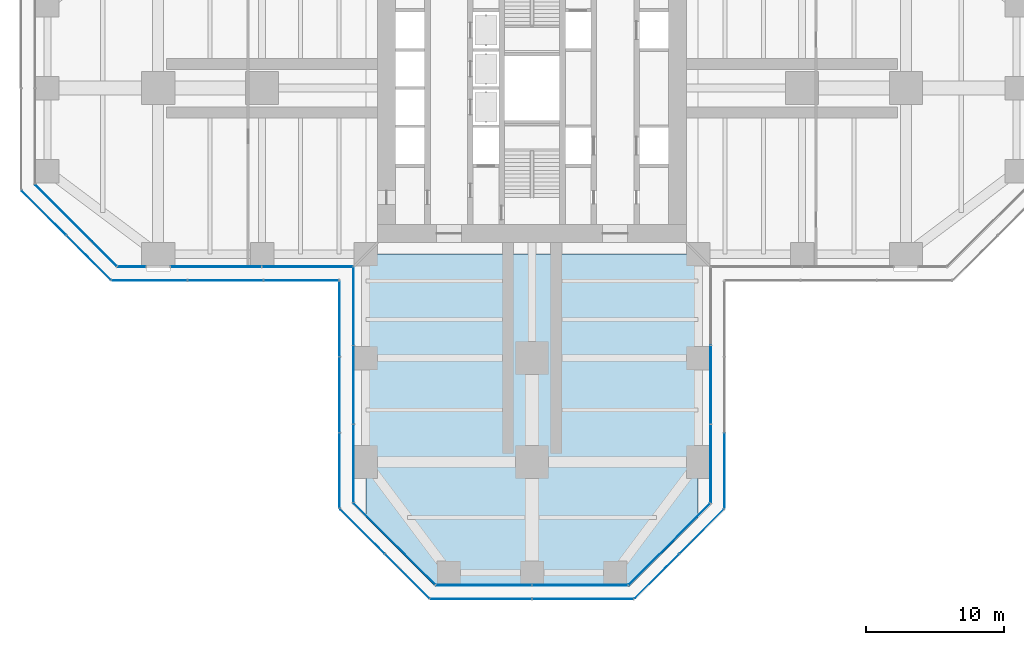
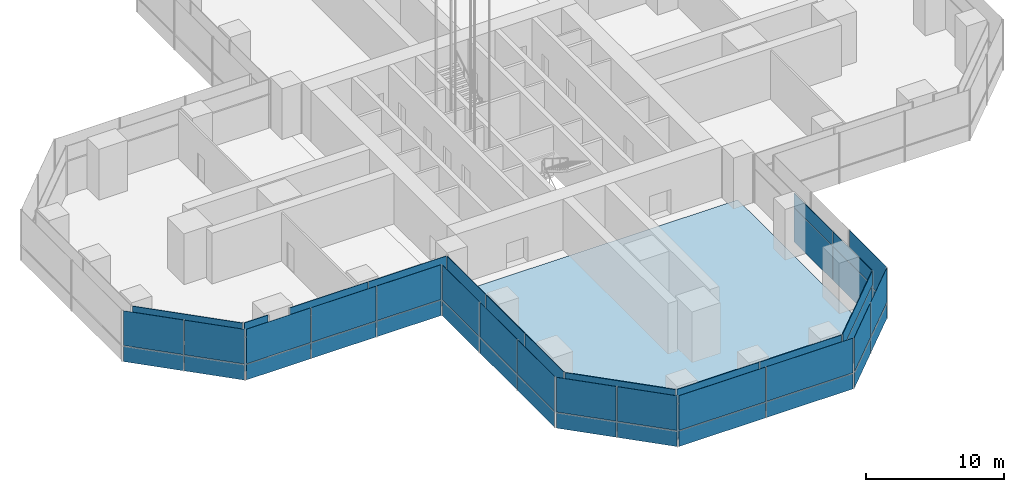
# One storey, part 13 of 27: 56 plates, 1 slab, 15 elements without a shape of their own.
"""IFC4 building model written with IfcOpenShell, lengths in metres."""

import ifcopenshell
import ifcopenshell.guid

model = None  # the IFC model being written
_history = None  # IfcOwnerHistory: only IFC2X3 demands one
_inside = {}  # id of a spatial element -> (the spatial element, [elements in it])
_under = {}  # id of a project, library or spatial element -> (it, [spatial elements below it])
_declared = {}  # id of a project -> (the project, [libraries it declares])
_typed = {}  # id of a type object -> (the type object, [elements of that type])
_made_of = {}  # id of a material, layer set ... -> (it, [elements and type objects made of it])


def new_model(schema):
    """Start an empty IFC model of exactly this schema.

    Asked for "IFC4X3", IfcOpenShell would pick the latest addendum, in which some entities
    have other attributes; the version numbers below select the first issue.
    IFC2X3 requires an IfcOwnerHistory on every rooted entity: one is made here for all.
    """
    global model, _history
    if schema == "IFC4X3":
        model = ifcopenshell.file(schema_version=(4, 3, 0, 0))
    else:
        model = ifcopenshell.file(schema=schema)
    _inside.clear()
    _under.clear()
    _declared.clear()
    _typed.clear()
    _made_of.clear()
    _history = None
    if model.schema == "IFC2X3":
        org = make("IfcOrganization", Name="unknown")
        user = make(
            "IfcPersonAndOrganization",
            ThePerson=make("IfcPerson", FamilyName="unknown"),
            TheOrganization=org,
        )
        app = make(
            "IfcApplication",
            ApplicationDeveloper=org,
            Version="unknown",
            ApplicationFullName="unknown",
            ApplicationIdentifier="unknown",
        )
        _history = make(
            "IfcOwnerHistory",
            OwningUser=user,
            OwningApplication=app,
            ChangeAction="ADDED",
            CreationDate=0,
        )
    return model


def make(cls, **values):
    """One entity of the class cls with the attributes given. An attribute that is None is left unset."""
    return model.create_entity(
        cls, **{name: value for name, value in values.items() if value is not None}
    )


def rooted(cls, **values):
    """An entity with a GlobalId (a new one), such as an element, a storey or a relation."""
    return make(cls, GlobalId=ifcopenshell.guid.new(), OwnerHistory=_history, **values)


def si_unit(unit_type, name, prefix=None):
    """IfcSIUnit, for example si_unit("LENGTHUNIT", "METRE", prefix="MILLI")."""
    return make("IfcSIUnit", UnitType=unit_type, Prefix=prefix, Name=name)


def assignment(units):
    """IfcUnitAssignment: the units of a project."""
    return None if units is None else make("IfcUnitAssignment", Units=units)


def point(xyz):
    """IfcCartesianPoint."""
    return None if xyz is None else make("IfcCartesianPoint", Coordinates=xyz)


def direction(xyz):
    """IfcDirection."""
    return None if xyz is None else make("IfcDirection", DirectionRatios=xyz)


def frame(location, z_axis=None, x_axis=None):
    """IfcAxis2Placement3D, a coordinate frame: its origin and axes. An axis left out is left unset."""
    return make(
        "IfcAxis2Placement3D",
        Location=point(location),
        Axis=direction(z_axis),
        RefDirection=direction(x_axis),
    )


def frame_2d(location, x_axis=None):
    """IfcAxis2Placement2D, a coordinate frame in the plane: its origin and x axis."""
    return make(
        "IfcAxis2Placement2D", Location=point(location), RefDirection=direction(x_axis)
    )


def origin():
    """The frame at (0, 0, 0) with its axes left unset."""
    return frame((0.0, 0.0, 0.0))


def origin_2d():
    """The frame at (0, 0) in the plane with its x axis left unset."""
    return frame_2d((0.0, 0.0))


def place(relative_to, where):
    """IfcLocalPlacement: puts the frame where relative to a parent placement (None: the world)."""
    return make(
        "IfcLocalPlacement", PlacementRelTo=relative_to, RelativePlacement=where
    )


def context(
    kind, dimensions, precision=None, world=None, true_north=None, identifier=None
):
    """IfcGeometricRepresentationContext, for example the 3D "Model" context."""
    return make(
        "IfcGeometricRepresentationContext",
        ContextIdentifier=identifier,
        ContextType=kind,
        CoordinateSpaceDimension=dimensions,
        Precision=precision,
        WorldCoordinateSystem=world,
        TrueNorth=true_north,
    )


def subcontext(parent, identifier, kind, view, scale=None):
    """IfcGeometricRepresentationSubContext, for example "Body" below "Model"."""
    return make(
        "IfcGeometricRepresentationSubContext",
        ContextIdentifier=identifier,
        ContextType=kind,
        ParentContext=parent,
        TargetScale=scale,
        TargetView=view,
    )


def project(units=None, contexts=None):
    """IfcProject with its units and contexts."""
    return rooted(
        "IfcProject",
        Name="project",
        RepresentationContexts=contexts,
        UnitsInContext=assignment(units),
    )


def spatial(cls, under=None, at=None, **own):
    """A site, building, storey or space (cls), placed at a placement, below another one or the project."""
    s = rooted(cls, ObjectPlacement=at, **own)
    if under is not None:
        _under.setdefault(under.id(), (under, []))[1].append(s)
    return s


def polyline(points):
    """IfcPolyline through the points."""
    return make("IfcPolyline", Points=[point(p) for p in points])


def profile(cls, at=None, kind="AREA", **sizes):
    """A parametric profile (cls). Its sizes go by their IFC names, for example OverallWidth=200.0."""
    return make(cls, ProfileType=kind, Position=at, **sizes)


def rectangle(**sizes):
    """IfcRectangleProfileDef."""
    return profile("IfcRectangleProfileDef", **sizes)


def outline(outer, holes=None, kind="AREA"):
    """IfcArbitraryClosedProfileDef: a profile drawn as a closed curve; with holes, ...WithVoids."""
    if holes is None:
        return make("IfcArbitraryClosedProfileDef", ProfileType=kind, OuterCurve=outer)
    return make(
        "IfcArbitraryProfileDefWithVoids",
        ProfileType=kind,
        OuterCurve=outer,
        InnerCurves=holes,
    )


def extrude(swept, where, along, depth):
    """IfcExtrudedAreaSolid: the profile swept, set in the frame where, extruded along a direction by depth."""
    return make(
        "IfcExtrudedAreaSolid",
        SweptArea=swept,
        Position=where,
        ExtrudedDirection=direction(along),
        Depth=depth,
    )


def shape(context_of_items, identifier, shape_type, items):
    """IfcShapeRepresentation: the items that make up one representation, for example the "Body"."""
    return make(
        "IfcShapeRepresentation",
        ContextOfItems=context_of_items,
        RepresentationIdentifier=identifier,
        RepresentationType=shape_type,
        Items=items,
    )


def material(Name=None, Category=None):
    """IfcMaterial."""
    return make("IfcMaterial", Name=Name, Category=Category)


def layer(
    of_material, thickness, ventilated=None, Name=None, Category=None, Priority=None
):
    """IfcMaterialLayer: one layer of a wall or slab, of a material (None: an air gap)."""
    return make(
        "IfcMaterialLayer",
        Material=of_material,
        LayerThickness=thickness,
        IsVentilated=ventilated,
        Name=Name,
        Category=Category,
        Priority=Priority,
    )


def layer_set(layers, Name=None):
    """IfcMaterialLayerSet."""
    return make("IfcMaterialLayerSet", MaterialLayers=layers, LayerSetName=Name)


def made_of(thing, what):
    """Note that an element or type object is made of a material, layer set ...; save() writes the relation."""
    if what is not None:
        _made_of.setdefault(what.id(), (what, []))[1].append(thing)
    return thing


def type_object(cls, material=None, **own):
    """A type object (cls), such as IfcWallType, which elements share."""
    return made_of(rooted(cls, **own), material)


def element(
    cls,
    number,
    at=None,
    inside=None,
    cuts=None,
    type_object=None,
    material=None,
    context=None,
    identifier="Body",
    shape_type=None,
    held_by="IfcProductDefinitionShape",
    body=None,
    shapes=None,
    **own,
):
    """One element of the class cls, such as IfcWall. Its Tag is "e" and its number.

    at: its placement. inside: the storey or other place that contains it. cuts: it is an
    opening in that element (IfcRelVoidsElement). A single representation is given by context,
    identifier, shape_type and body (its items); several are given by shapes. held_by: the class
    of the entity that holds the representations. save() writes the other relations.
    """
    e = rooted(cls, Tag="e%d" % number, ObjectPlacement=at, **own)
    if body is not None:
        shapes = [shape(context, identifier, shape_type, body)]
    if shapes is not None:
        e.Representation = make(held_by, Representations=shapes)
    if inside is not None:
        _inside.setdefault(inside.id(), (inside, []))[1].append(e)
    if cuts is not None:
        rooted(
            "IfcRelVoidsElement", RelatingBuildingElement=cuts, RelatedOpeningElement=e
        )
    if type_object is not None:
        _typed.setdefault(type_object.id(), (type_object, []))[1].append(e)
    return made_of(e, material)


def aggregate(whole, parts):
    """IfcRelAggregates: a whole, such as a stair, and the parts it consists of."""
    return rooted("IfcRelAggregates", RelatingObject=whole, RelatedObjects=parts)


def save(model, path):
    """Write the relations noted so far, then the file.

    IfcRelAggregates (storeys below a building ...), IfcRelContainedInSpatialStructure (elements
    in a storey), IfcRelDefinesByType, IfcRelAssociatesMaterial and IfcRelDeclares: one each for
    every whole, place, type object, material and project.
    """
    for whole, parts in _under.values():
        aggregate(whole, parts)
    for where, things in _inside.values():
        rooted(
            "IfcRelContainedInSpatialStructure",
            RelatedElements=things,
            RelatingStructure=where,
        )
    for kind, things in _typed.values():
        rooted("IfcRelDefinesByType", RelatedObjects=things, RelatingType=kind)
    for what, things in _made_of.values():
        rooted("IfcRelAssociatesMaterial", RelatedObjects=things, RelatingMaterial=what)
    for by, libraries in _declared.values():
        rooted("IfcRelDeclares", RelatingContext=by, RelatedDefinitions=libraries)
    model.write(path)


model = new_model("IFC4")

# Units and contexts
model_context = context("Model", 3, precision=1e-05, world=origin(), true_north=direction((0.0, 1.0)))
body_context = subcontext(model_context, "Body", "Model", "MODEL_VIEW")
ifc_project = project(units=[si_unit("LENGTHUNIT", "METRE"), si_unit("AREAUNIT", "SQUARE_METRE"), si_unit("VOLUMEUNIT", "CUBIC_METRE"), si_unit("PLANEANGLEUNIT", "RADIAN"), si_unit("MASSUNIT", "GRAM", prefix="KILO")], contexts=[model_context])

# Site, building, storey
site_placement = place(None, origin())
site = spatial("IfcSite", under=ifc_project, at=site_placement, CompositionType="ELEMENT")
building_placement = place(site_placement, origin())
building = spatial("IfcBuilding", under=site, at=building_placement, Name="Mizan Broadcast Tower", CompositionType="ELEMENT")
storey_placement = place(building_placement, frame((0.0, 0.0, 113.699951171875)))
storey = spatial("IfcBuildingStorey", under=building, at=storey_placement, Name="L25", CompositionType="ELEMENT", Elevation=113.699951171875)

# Slab
ifc_material_1 = material(Name="Concrete C32/40", Category="concrete")
ifc_layer_1 = layer(ifc_material_1, 0.1298828125)
ifc_layer_set_1 = layer_set([ifc_layer_1], Name="Concrete C32/40")
slab_type = type_object("IfcSlabType", Name="COMPOSITE DECK SLAB 130", PredefinedType="FLOOR", material=ifc_layer_set_1)
slab_placement = place(storey_placement, frame((0.0, 0.0, -0.1298828125)))
element("IfcSlab", 1, at=slab_placement, inside=storey, type_object=slab_type, Name="Floor slab L25 south arm", PredefinedType="FLOOR", context=body_context, shape_type="SweptSolid", body=[
    extrude(outline(polyline([(7.0, -36.0), (12.0, -31.0), (12.0, -12.0), (-12.0, -12.0), (-12.0, -31.0), (-7.0, -36.0), (7.0, -36.0)])), origin(), (0.0, 0.0, 1.0), 0.1298828125),
])

# Curtain wall, plate
ifc_material_2 = material(Name="Aluminium framed glazing", Category="aluminium")
curtain_wall_type_1 = type_object("IfcCurtainWallType", Name="INNER SKIN MID ZONE", PredefinedType="USERDEFINED", material=ifc_material_2)
curtain_wall_1_placement = place(storey_placement, origin())
curtain_wall_1 = element("IfcCurtainWall", 2, at=curtain_wall_1_placement, inside=storey, type_object=curtain_wall_type_1, Name="Inner skin mid zone L25 W chamfer", ObjectType="INNER SKIN MID ZONE", PredefinedType="USERDEFINED")
ifc_material_3 = material(Name="Double glazing, clear low-e", Category="glass")
ifc_layer_2 = layer(ifc_material_3, 0.028076171875)
ifc_layer_set_2 = layer_set([ifc_layer_2], Name="Double glazing, clear low-e")
plate_type_1 = type_object("IfcPlateType", Name="INNER SKIN GLAZING UNIT", PredefinedType="CURTAIN_PANEL", material=ifc_layer_set_2)
plate_1_placement = place(storey_placement, frame((-32.92919921875, -9.92919921875, 0.0), z_axis=(0.0, 0.0, 1.0), x_axis=(0.707106781187, -0.707106781187, 0.0)))
plate_1 = element("IfcPlate", 3, at=plate_1_placement, type_object=plate_type_1, Name="Inner skin mid zone L25 W chamfer panel 1.1", PredefinedType="CURTAIN_PANEL", context=body_context, shape_type="SweptSolid", body=[
    extrude(rectangle(XDim=8.282470703125, YDim=0.028076171875, at=origin_2d()), origin(), (0.0, 0.0, 1.0), 3.0),
])

curtain_wall_2_placement = place(storey_placement, origin())
curtain_wall_2 = element("IfcCurtainWall", 4, at=curtain_wall_2_placement, inside=storey, type_object=curtain_wall_type_1, Name="Inner skin mid zone L25 W side", ObjectType="INNER SKIN MID ZONE", PredefinedType="USERDEFINED")
plate_2_placement = place(storey_placement, frame((-28.904296875, -12.89990234375, 0.0), z_axis=(0.0, 0.0, 1.0), x_axis=(1.0, 0.0, 0.0)))
plate_2 = element("IfcPlate", 5, at=plate_2_placement, type_object=plate_type_1, Name="Inner skin mid zone L25 W side panel 1.1", PredefinedType="CURTAIN_PANEL", context=body_context, shape_type="SweptSolid", body=[
    extrude(rectangle(XDim=1.988525390625, YDim=0.028076171875, at=origin_2d()), origin(), (0.0, 0.0, 1.0), 3.0),
])

# Curtain wall, plates
curtain_wall_3_placement = place(storey_placement, origin())
curtain_wall_3 = element("IfcCurtainWall", 6, at=curtain_wall_3_placement, inside=storey, type_object=curtain_wall_type_1, Name="Inner skin mid zone L25 W side", ObjectType="INNER SKIN MID ZONE", PredefinedType="USERDEFINED")
plate_3_placement = place(storey_placement, frame((-22.822509765625, -12.89990234375, 0.0), z_axis=(0.0, 0.0, 1.0), x_axis=(1.0, 0.0, 0.0)))
plate_3 = element("IfcPlate", 7, at=plate_3_placement, type_object=plate_type_1, Name="Inner skin mid zone L25 W side panel 1.1", PredefinedType="CURTAIN_PANEL", context=body_context, shape_type="SweptSolid", body=[
    extrude(rectangle(XDim=6.534912109375, YDim=0.028076171875, at=origin_2d()), origin(), (0.0, 0.0, 1.0), 3.0),
])
plate_4_placement = place(storey_placement, frame((-16.2275390625, -12.89990234375, 0.0), z_axis=(0.0, 0.0, 1.0), x_axis=(1.0, 0.0, 0.0)))
plate_4 = element("IfcPlate", 8, at=plate_4_placement, type_object=plate_type_1, Name="Inner skin mid zone L25 W side panel 2.1", PredefinedType="CURTAIN_PANEL", context=body_context, shape_type="SweptSolid", body=[
    extrude(rectangle(XDim=6.534912109375, YDim=0.028076171875, at=origin_2d()), origin(), (0.0, 0.0, 1.0), 3.0),
])

curtain_wall_4_placement = place(storey_placement, origin())
curtain_wall_4 = element("IfcCurtainWall", 9, at=curtain_wall_4_placement, inside=storey, type_object=curtain_wall_type_1, Name="Inner skin mid zone L25 S side", ObjectType="INNER SKIN MID ZONE", PredefinedType="USERDEFINED")
plate_5_placement = place(storey_placement, frame((-12.89990234375, -15.758056640625, 0.0), z_axis=(0.0, 0.0, 1.0), x_axis=(0.0, -1.0, 0.0)))
plate_5 = element("IfcPlate", 10, at=plate_5_placement, type_object=plate_type_1, Name="Inner skin mid zone L25 S side panel 1.1", PredefinedType="CURTAIN_PANEL", context=body_context, shape_type="SweptSolid", body=[
    extrude(rectangle(XDim=5.59619140625, YDim=0.028076171875, at=origin_2d()), origin(), (0.0, 0.0, 1.0), 3.0),
])
plate_6_placement = place(storey_placement, frame((-12.89990234375, -21.42919921875, 0.0), z_axis=(0.0, 0.0, 1.0), x_axis=(0.0, -1.0, 0.0)))
plate_6 = element("IfcPlate", 11, at=plate_6_placement, type_object=plate_type_1, Name="Inner skin mid zone L25 S side panel 2.1", PredefinedType="CURTAIN_PANEL", context=body_context, shape_type="SweptSolid", body=[
    extrude(rectangle(XDim=5.626220703125, YDim=0.028076171875, at=origin_2d()), origin(), (0.0, 0.0, 1.0), 3.0),
])
plate_7_placement = place(storey_placement, frame((-12.89990234375, -27.1005859375, 0.0), z_axis=(0.0, 0.0, 1.0), x_axis=(0.0, -1.0, 0.0)))
plate_7 = element("IfcPlate", 12, at=plate_7_placement, type_object=plate_type_1, Name="Inner skin mid zone L25 S side panel 3.1", PredefinedType="CURTAIN_PANEL", context=body_context, shape_type="SweptSolid", body=[
    extrude(rectangle(XDim=5.59619140625, YDim=0.028076171875, at=origin_2d()), origin(), (0.0, 0.0, 1.0), 3.0),
])

# Curtain wall, plate
curtain_wall_5_placement = place(storey_placement, origin())
curtain_wall_5 = element("IfcCurtainWall", 13, at=curtain_wall_5_placement, inside=storey, type_object=curtain_wall_type_1, Name="Inner skin mid zone L25 S chamfer", ObjectType="INNER SKIN MID ZONE", PredefinedType="USERDEFINED")
plate_8_placement = place(storey_placement, frame((-9.92919921875, -32.92919921875, 0.0), z_axis=(0.0, 0.0, 1.0), x_axis=(0.707106781187, -0.707106781187, 0.0)))
plate_8 = element("IfcPlate", 14, at=plate_8_placement, type_object=plate_type_1, Name="Inner skin mid zone L25 S chamfer panel 1.1", PredefinedType="CURTAIN_PANEL", context=body_context, shape_type="SweptSolid", body=[
    extrude(rectangle(XDim=8.282470703125, YDim=0.028076171875, at=origin_2d()), origin(), (0.0, 0.0, 1.0), 3.0),
])

# Curtain wall, plates
curtain_wall_6_placement = place(storey_placement, origin())
curtain_wall_6 = element("IfcCurtainWall", 15, at=curtain_wall_6_placement, inside=storey, type_object=curtain_wall_type_1, Name="Inner skin mid zone L25 S end", ObjectType="INNER SKIN MID ZONE", PredefinedType="USERDEFINED")
plate_9_placement = place(storey_placement, frame((-3.46435546875, -35.89990234375, 0.0), z_axis=(0.0, 0.0, 1.0), x_axis=(1.0, 0.0, 0.0)))
plate_9 = element("IfcPlate", 16, at=plate_9_placement, type_object=plate_type_1, Name="Inner skin mid zone L25 S end panel 1.1", PredefinedType="CURTAIN_PANEL", context=body_context, shape_type="SweptSolid", body=[
    extrude(rectangle(XDim=6.86865234375, YDim=0.028076171875, at=origin_2d()), origin(), (0.0, 0.0, 1.0), 3.0),
])
plate_10_placement = place(storey_placement, frame((3.46435546875, -35.89990234375, 0.0), z_axis=(0.0, 0.0, 1.0), x_axis=(1.0, 0.0, 0.0)))
plate_10 = element("IfcPlate", 17, at=plate_10_placement, type_object=plate_type_1, Name="Inner skin mid zone L25 S end panel 2.1", PredefinedType="CURTAIN_PANEL", context=body_context, shape_type="SweptSolid", body=[
    extrude(rectangle(XDim=6.86865234375, YDim=0.028076171875, at=origin_2d()), origin(), (0.0, 0.0, 1.0), 3.0),
])

# Curtain wall, plate
curtain_wall_7_placement = place(storey_placement, origin())
curtain_wall_7 = element("IfcCurtainWall", 18, at=curtain_wall_7_placement, inside=storey, type_object=curtain_wall_type_1, Name="Inner skin mid zone L25 S chamfer", ObjectType="INNER SKIN MID ZONE", PredefinedType="USERDEFINED")
plate_11_placement = place(storey_placement, frame((9.92919921875, -32.92919921875, 0.0), z_axis=(0.0, 0.0, 1.0), x_axis=(0.707106781187, 0.707106781187, 0.0)))
plate_11 = element("IfcPlate", 19, at=plate_11_placement, type_object=plate_type_1, Name="Inner skin mid zone L25 S chamfer panel 1.1", PredefinedType="CURTAIN_PANEL", context=body_context, shape_type="SweptSolid", body=[
    extrude(rectangle(XDim=8.282470703125, YDim=0.028076171875, at=origin_2d()), origin(), (0.0, 0.0, 1.0), 3.0),
])

# Curtain wall, plates
curtain_wall_8_placement = place(storey_placement, origin())
curtain_wall_8 = element("IfcCurtainWall", 20, at=curtain_wall_8_placement, inside=storey, type_object=curtain_wall_type_1, Name="Inner skin mid zone L25 S side", ObjectType="INNER SKIN MID ZONE", PredefinedType="USERDEFINED")
plate_12_placement = place(storey_placement, frame((12.89990234375, -27.1005859375, 0.0), z_axis=(0.0, 0.0, 1.0), x_axis=(0.0, 1.0, 0.0)))
plate_12 = element("IfcPlate", 21, at=plate_12_placement, type_object=plate_type_1, Name="Inner skin mid zone L25 S side panel 1.1", PredefinedType="CURTAIN_PANEL", context=body_context, shape_type="SweptSolid", body=[
    extrude(rectangle(XDim=5.59619140625, YDim=0.028076171875, at=origin_2d()), origin(), (0.0, 0.0, 1.0), 3.0),
])
plate_13_placement = place(storey_placement, frame((12.89990234375, -21.42919921875, 0.0), z_axis=(0.0, 0.0, 1.0), x_axis=(0.0, 1.0, 0.0)))
plate_13 = element("IfcPlate", 22, at=plate_13_placement, type_object=plate_type_1, Name="Inner skin mid zone L25 S side panel 2.1", PredefinedType="CURTAIN_PANEL", context=body_context, shape_type="SweptSolid", body=[
    extrude(rectangle(XDim=5.626220703125, YDim=0.028076171875, at=origin_2d()), origin(), (0.0, 0.0, 1.0), 3.0),
])

# Plate
ifc_material_4 = material(Name="Insulated aluminium spandrel panel, pale anodised", Category="aluminium")
ifc_layer_3 = layer(ifc_material_4, 0.050048828125)
ifc_layer_set_3 = layer_set([ifc_layer_3], Name="Insulated aluminium spandrel panel, pale anodised")
plate_type_2 = type_object("IfcPlateType", Name="INNER SKIN SPANDREL PANEL", PredefinedType="CURTAIN_PANEL", material=ifc_layer_set_3)
plate_14_placement = place(storey_placement, frame((-32.92919921875, -9.92919921875, 3.06005859375), z_axis=(0.0, 0.0, 1.0), x_axis=(0.707106781187, -0.707106781187, 0.0)))
plate_14 = element("IfcPlate", 23, at=plate_14_placement, type_object=plate_type_2, Name="Inner skin mid zone L25 W chamfer panel 1.2", PredefinedType="CURTAIN_PANEL", context=body_context, shape_type="SweptSolid", body=[
    extrude(rectangle(XDim=8.282470703125, YDim=0.050048828125, at=origin_2d()), origin(), (0.0, 0.0, 1.0), 1.260009765625),
])

aggregate(curtain_wall_1, [plate_1, plate_14])

plate_15_placement = place(storey_placement, frame((-28.904296875, -12.89990234375, 3.06005859375), z_axis=(0.0, 0.0, 1.0), x_axis=(1.0, 0.0, 0.0)))
plate_15 = element("IfcPlate", 24, at=plate_15_placement, type_object=plate_type_2, Name="Inner skin mid zone L25 W side panel 1.2", PredefinedType="CURTAIN_PANEL", context=body_context, shape_type="SweptSolid", body=[
    extrude(rectangle(XDim=1.988525390625, YDim=0.050048828125, at=origin_2d()), origin(), (0.0, 0.0, 1.0), 1.260009765625),
])

aggregate(curtain_wall_2, [plate_2, plate_15])

plate_16_placement = place(storey_placement, frame((-22.822509765625, -12.89990234375, 3.06005859375), z_axis=(0.0, 0.0, 1.0), x_axis=(1.0, 0.0, 0.0)))
plate_16 = element("IfcPlate", 25, at=plate_16_placement, type_object=plate_type_2, Name="Inner skin mid zone L25 W side panel 1.2", PredefinedType="CURTAIN_PANEL", context=body_context, shape_type="SweptSolid", body=[
    extrude(rectangle(XDim=6.534912109375, YDim=0.050048828125, at=origin_2d()), origin(), (0.0, 0.0, 1.0), 1.260009765625),
])

plate_17_placement = place(storey_placement, frame((-16.2275390625, -12.89990234375, 3.06005859375), z_axis=(0.0, 0.0, 1.0), x_axis=(1.0, 0.0, 0.0)))
plate_17 = element("IfcPlate", 26, at=plate_17_placement, type_object=plate_type_2, Name="Inner skin mid zone L25 W side panel 2.2", PredefinedType="CURTAIN_PANEL", context=body_context, shape_type="SweptSolid", body=[
    extrude(rectangle(XDim=6.534912109375, YDim=0.050048828125, at=origin_2d()), origin(), (0.0, 0.0, 1.0), 1.260009765625),
])

aggregate(curtain_wall_3, [plate_3, plate_16, plate_4, plate_17])

plate_18_placement = place(storey_placement, frame((-12.89990234375, -15.758056640625, 3.06005859375), z_axis=(0.0, 0.0, 1.0), x_axis=(0.0, -1.0, 0.0)))
plate_18 = element("IfcPlate", 27, at=plate_18_placement, type_object=plate_type_2, Name="Inner skin mid zone L25 S side panel 1.2", PredefinedType="CURTAIN_PANEL", context=body_context, shape_type="SweptSolid", body=[
    extrude(rectangle(XDim=5.59619140625, YDim=0.050048828125, at=origin_2d()), origin(), (0.0, 0.0, 1.0), 1.260009765625),
])

plate_19_placement = place(storey_placement, frame((-12.89990234375, -21.42919921875, 3.06005859375), z_axis=(0.0, 0.0, 1.0), x_axis=(0.0, -1.0, 0.0)))
plate_19 = element("IfcPlate", 28, at=plate_19_placement, type_object=plate_type_2, Name="Inner skin mid zone L25 S side panel 2.2", PredefinedType="CURTAIN_PANEL", context=body_context, shape_type="SweptSolid", body=[
    extrude(rectangle(XDim=5.626220703125, YDim=0.050048828125, at=origin_2d()), origin(), (0.0, 0.0, 1.0), 1.260009765625),
])

plate_20_placement = place(storey_placement, frame((-12.89990234375, -27.1005859375, 3.06005859375), z_axis=(0.0, 0.0, 1.0), x_axis=(0.0, -1.0, 0.0)))
plate_20 = element("IfcPlate", 29, at=plate_20_placement, type_object=plate_type_2, Name="Inner skin mid zone L25 S side panel 3.2", PredefinedType="CURTAIN_PANEL", context=body_context, shape_type="SweptSolid", body=[
    extrude(rectangle(XDim=5.59619140625, YDim=0.050048828125, at=origin_2d()), origin(), (0.0, 0.0, 1.0), 1.260009765625),
])

aggregate(curtain_wall_4, [plate_5, plate_18, plate_6, plate_19, plate_7, plate_20])

plate_21_placement = place(storey_placement, frame((-9.92919921875, -32.92919921875, 3.06005859375), z_axis=(0.0, 0.0, 1.0), x_axis=(0.707106781187, -0.707106781187, 0.0)))
plate_21 = element("IfcPlate", 30, at=plate_21_placement, type_object=plate_type_2, Name="Inner skin mid zone L25 S chamfer panel 1.2", PredefinedType="CURTAIN_PANEL", context=body_context, shape_type="SweptSolid", body=[
    extrude(rectangle(XDim=8.282470703125, YDim=0.050048828125, at=origin_2d()), origin(), (0.0, 0.0, 1.0), 1.260009765625),
])

aggregate(curtain_wall_5, [plate_8, plate_21])

plate_22_placement = place(storey_placement, frame((-3.46435546875, -35.89990234375, 3.06005859375), z_axis=(0.0, 0.0, 1.0), x_axis=(1.0, 0.0, 0.0)))
plate_22 = element("IfcPlate", 31, at=plate_22_placement, type_object=plate_type_2, Name="Inner skin mid zone L25 S end panel 1.2", PredefinedType="CURTAIN_PANEL", context=body_context, shape_type="SweptSolid", body=[
    extrude(rectangle(XDim=6.86865234375, YDim=0.050048828125, at=origin_2d()), origin(), (0.0, 0.0, 1.0), 1.260009765625),
])

plate_23_placement = place(storey_placement, frame((3.46435546875, -35.89990234375, 3.06005859375), z_axis=(0.0, 0.0, 1.0), x_axis=(1.0, 0.0, 0.0)))
plate_23 = element("IfcPlate", 32, at=plate_23_placement, type_object=plate_type_2, Name="Inner skin mid zone L25 S end panel 2.2", PredefinedType="CURTAIN_PANEL", context=body_context, shape_type="SweptSolid", body=[
    extrude(rectangle(XDim=6.86865234375, YDim=0.050048828125, at=origin_2d()), origin(), (0.0, 0.0, 1.0), 1.260009765625),
])

aggregate(curtain_wall_6, [plate_9, plate_22, plate_10, plate_23])

plate_24_placement = place(storey_placement, frame((9.92919921875, -32.92919921875, 3.06005859375), z_axis=(0.0, 0.0, 1.0), x_axis=(0.707106781187, 0.707106781187, 0.0)))
plate_24 = element("IfcPlate", 33, at=plate_24_placement, type_object=plate_type_2, Name="Inner skin mid zone L25 S chamfer panel 1.2", PredefinedType="CURTAIN_PANEL", context=body_context, shape_type="SweptSolid", body=[
    extrude(rectangle(XDim=8.282470703125, YDim=0.050048828125, at=origin_2d()), origin(), (0.0, 0.0, 1.0), 1.260009765625),
])

aggregate(curtain_wall_7, [plate_11, plate_24])

plate_25_placement = place(storey_placement, frame((12.89990234375, -27.1005859375, 3.06005859375), z_axis=(0.0, 0.0, 1.0), x_axis=(0.0, 1.0, 0.0)))
plate_25 = element("IfcPlate", 34, at=plate_25_placement, type_object=plate_type_2, Name="Inner skin mid zone L25 S side panel 1.2", PredefinedType="CURTAIN_PANEL", context=body_context, shape_type="SweptSolid", body=[
    extrude(rectangle(XDim=5.59619140625, YDim=0.050048828125, at=origin_2d()), origin(), (0.0, 0.0, 1.0), 1.260009765625),
])

plate_26_placement = place(storey_placement, frame((12.89990234375, -21.42919921875, 3.06005859375), z_axis=(0.0, 0.0, 1.0), x_axis=(0.0, 1.0, 0.0)))
plate_26 = element("IfcPlate", 35, at=plate_26_placement, type_object=plate_type_2, Name="Inner skin mid zone L25 S side panel 2.2", PredefinedType="CURTAIN_PANEL", context=body_context, shape_type="SweptSolid", body=[
    extrude(rectangle(XDim=5.626220703125, YDim=0.050048828125, at=origin_2d()), origin(), (0.0, 0.0, 1.0), 1.260009765625),
])

aggregate(curtain_wall_8, [plate_12, plate_25, plate_13, plate_26])

# Curtain wall, plates
ifc_material_5 = material(Name="Aluminium framed glazing", Category="aluminium")
curtain_wall_type_2 = type_object("IfcCurtainWallType", Name="OUTER SKIN", PredefinedType="USERDEFINED", material=ifc_material_5)
curtain_wall_9_placement = place(storey_placement, origin())
curtain_wall_9 = element("IfcCurtainWall", 36, at=curtain_wall_9_placement, inside=storey, type_object=curtain_wall_type_2, Name="Outer skin L25 W chamfer", ObjectType="OUTER SKIN", PredefinedType="USERDEFINED")
ifc_material_6 = material(Name="Laminated clear glass", Category="glass")
ifc_layer_4 = layer(ifc_material_6, 0.02001953125)
ifc_layer_set_4 = layer_set([ifc_layer_4], Name="Laminated clear glass")
plate_type_3 = type_object("IfcPlateType", Name="OUTER SKIN CLEAR GLASS", PredefinedType="CURTAIN_PANEL", material=ifc_layer_set_4)
plate_27_placement = place(storey_placement, frame((-35.254150390625, -9.018798828125, 0.0), z_axis=(0.0, 0.0, 1.0), x_axis=(0.707106781187, -0.707106781187, 0.0)))
plate_27 = element("IfcPlate", 37, at=plate_27_placement, type_object=plate_type_3, Name="Outer skin L25 W chamfer panel 1.1", PredefinedType="CURTAIN_PANEL", context=body_context, shape_type="SweptSolid", body=[
    extrude(rectangle(XDim=4.495361328125, YDim=0.02001953125, at=origin_2d()), origin(), (0.0, 0.0, 1.0), 1.3701171875),
])
plate_28_placement = place(storey_placement, frame((-35.254150390625, -9.018798828125, 1.43017578125), z_axis=(0.0, 0.0, 1.0), x_axis=(0.707106781187, -0.707106781187, 0.0)))
plate_28 = element("IfcPlate", 38, at=plate_28_placement, type_object=plate_type_3, Name="Outer skin L25 W chamfer panel 1.2", PredefinedType="CURTAIN_PANEL", context=body_context, shape_type="SweptSolid", body=[
    extrude(rectangle(XDim=4.495361328125, YDim=0.02001953125, at=origin_2d()), origin(), (0.0, 0.0, 1.0), 3.070068359375),
])

curtain_wall_10_placement = place(storey_placement, origin())
curtain_wall_10 = element("IfcCurtainWall", 39, at=curtain_wall_10_placement, inside=storey, type_object=curtain_wall_type_2, Name="Outer skin L25 W side", ObjectType="OUTER SKIN", PredefinedType="USERDEFINED")
plate_29_placement = place(storey_placement, frame((-27.607421875, -13.89990234375, 0.0), z_axis=(0.0, 0.0, 1.0), x_axis=(1.0, 0.0, 0.0)))
plate_29 = element("IfcPlate", 40, at=plate_29_placement, type_object=plate_type_3, Name="Outer skin L25 W side panel 1.1", PredefinedType="CURTAIN_PANEL", context=body_context, shape_type="SweptSolid", body=[
    extrude(rectangle(XDim=5.370849609375, YDim=0.02001953125, at=origin_2d()), origin(), (0.0, 0.0, 1.0), 1.3701171875),
])
plate_30_placement = place(storey_placement, frame((-27.607421875, -13.89990234375, 1.43017578125), z_axis=(0.0, 0.0, 1.0), x_axis=(1.0, 0.0, 0.0)))
plate_30 = element("IfcPlate", 41, at=plate_30_placement, type_object=plate_type_3, Name="Outer skin L25 W side panel 1.2", PredefinedType="CURTAIN_PANEL", context=body_context, shape_type="SweptSolid", body=[
    extrude(rectangle(XDim=5.370849609375, YDim=0.02001953125, at=origin_2d()), origin(), (0.0, 0.0, 1.0), 3.070068359375),
])
plate_31_placement = place(storey_placement, frame((-16.66552734375, -13.89990234375, 0.0), z_axis=(0.0, 0.0, 1.0), x_axis=(1.0, 0.0, 0.0)))
plate_31 = element("IfcPlate", 42, at=plate_31_placement, type_object=plate_type_3, Name="Outer skin L25 W side panel 3.1", PredefinedType="CURTAIN_PANEL", context=body_context, shape_type="SweptSolid", body=[
    extrude(rectangle(XDim=5.370849609375, YDim=0.02001953125, at=origin_2d()), origin(), (0.0, 0.0, 1.0), 1.3701171875),
])
plate_32_placement = place(storey_placement, frame((-16.66552734375, -13.89990234375, 1.43017578125), z_axis=(0.0, 0.0, 1.0), x_axis=(1.0, 0.0, 0.0)))
plate_32 = element("IfcPlate", 43, at=plate_32_placement, type_object=plate_type_3, Name="Outer skin L25 W side panel 3.2", PredefinedType="CURTAIN_PANEL", context=body_context, shape_type="SweptSolid", body=[
    extrude(rectangle(XDim=5.370849609375, YDim=0.02001953125, at=origin_2d()), origin(), (0.0, 0.0, 1.0), 3.070068359375),
])

curtain_wall_11_placement = place(storey_placement, origin())
curtain_wall_11 = element("IfcCurtainWall", 44, at=curtain_wall_11_placement, inside=storey, type_object=curtain_wall_type_2, Name="Outer skin L25 S side", ObjectType="OUTER SKIN", PredefinedType="USERDEFINED")
plate_33_placement = place(storey_placement, frame((-13.89990234375, -16.66552734375, 0.0), z_axis=(0.0, 0.0, 1.0), x_axis=(0.0, -1.0, 0.0)))
plate_33 = element("IfcPlate", 45, at=plate_33_placement, type_object=plate_type_3, Name="Outer skin L25 S side panel 1.1", PredefinedType="CURTAIN_PANEL", context=body_context, shape_type="SweptSolid", body=[
    extrude(rectangle(XDim=5.370849609375, YDim=0.02001953125, at=origin_2d()), origin(), (0.0, 0.0, 1.0), 1.3701171875),
])
plate_34_placement = place(storey_placement, frame((-13.89990234375, -16.66552734375, 1.43017578125), z_axis=(0.0, 0.0, 1.0), x_axis=(0.0, -1.0, 0.0)))
plate_34 = element("IfcPlate", 46, at=plate_34_placement, type_object=plate_type_3, Name="Outer skin L25 S side panel 1.2", PredefinedType="CURTAIN_PANEL", context=body_context, shape_type="SweptSolid", body=[
    extrude(rectangle(XDim=5.370849609375, YDim=0.02001953125, at=origin_2d()), origin(), (0.0, 0.0, 1.0), 3.070068359375),
])
plate_35_placement = place(storey_placement, frame((-13.89990234375, -27.607421875, 0.0), z_axis=(0.0, 0.0, 1.0), x_axis=(0.0, -1.0, 0.0)))
plate_35 = element("IfcPlate", 47, at=plate_35_placement, type_object=plate_type_3, Name="Outer skin L25 S side panel 3.1", PredefinedType="CURTAIN_PANEL", context=body_context, shape_type="SweptSolid", body=[
    extrude(rectangle(XDim=5.370849609375, YDim=0.02001953125, at=origin_2d()), origin(), (0.0, 0.0, 1.0), 1.3701171875),
])
plate_36_placement = place(storey_placement, frame((-13.89990234375, -27.607421875, 1.43017578125), z_axis=(0.0, 0.0, 1.0), x_axis=(0.0, -1.0, 0.0)))
plate_36 = element("IfcPlate", 48, at=plate_36_placement, type_object=plate_type_3, Name="Outer skin L25 S side panel 3.2", PredefinedType="CURTAIN_PANEL", context=body_context, shape_type="SweptSolid", body=[
    extrude(rectangle(XDim=5.370849609375, YDim=0.02001953125, at=origin_2d()), origin(), (0.0, 0.0, 1.0), 3.070068359375),
])

curtain_wall_12_placement = place(storey_placement, origin())
curtain_wall_12 = element("IfcCurtainWall", 49, at=curtain_wall_12_placement, inside=storey, type_object=curtain_wall_type_2, Name="Outer skin L25 S chamfer", ObjectType="OUTER SKIN", PredefinedType="USERDEFINED")
plate_37_placement = place(storey_placement, frame((-12.254150390625, -32.018798828125, 0.0), z_axis=(0.0, 0.0, 1.0), x_axis=(0.707106781187, -0.707106781187, 0.0)))
plate_37 = element("IfcPlate", 50, at=plate_37_placement, type_object=plate_type_3, Name="Outer skin L25 S chamfer panel 1.1", PredefinedType="CURTAIN_PANEL", context=body_context, shape_type="SweptSolid", body=[
    extrude(rectangle(XDim=4.495361328125, YDim=0.02001953125, at=origin_2d()), origin(), (0.0, 0.0, 1.0), 1.3701171875),
])
plate_38_placement = place(storey_placement, frame((-12.254150390625, -32.018798828125, 1.43017578125), z_axis=(0.0, 0.0, 1.0), x_axis=(0.707106781187, -0.707106781187, 0.0)))
plate_38 = element("IfcPlate", 51, at=plate_38_placement, type_object=plate_type_3, Name="Outer skin L25 S chamfer panel 1.2", PredefinedType="CURTAIN_PANEL", context=body_context, shape_type="SweptSolid", body=[
    extrude(rectangle(XDim=4.495361328125, YDim=0.02001953125, at=origin_2d()), origin(), (0.0, 0.0, 1.0), 3.070068359375),
])

curtain_wall_13_placement = place(storey_placement, origin())
curtain_wall_13 = element("IfcCurtainWall", 52, at=curtain_wall_13_placement, inside=storey, type_object=curtain_wall_type_2, Name="Outer skin L25 S end", ObjectType="OUTER SKIN", PredefinedType="USERDEFINED")
plate_39_placement = place(storey_placement, frame((-3.66650390625, -36.89990234375, 0.0), z_axis=(0.0, 0.0, 1.0), x_axis=(1.0, 0.0, 0.0)))
plate_39 = element("IfcPlate", 53, at=plate_39_placement, type_object=plate_type_3, Name="Outer skin L25 S end panel 1.1", PredefinedType="CURTAIN_PANEL", context=body_context, shape_type="SweptSolid", body=[
    extrude(rectangle(XDim=7.252685546875, YDim=0.02001953125, at=origin_2d()), origin(), (0.0, 0.0, 1.0), 1.3701171875),
])
plate_40_placement = place(storey_placement, frame((-3.66650390625, -36.89990234375, 1.43017578125), z_axis=(0.0, 0.0, 1.0), x_axis=(1.0, 0.0, 0.0)))
plate_40 = element("IfcPlate", 54, at=plate_40_placement, type_object=plate_type_3, Name="Outer skin L25 S end panel 1.2", PredefinedType="CURTAIN_PANEL", context=body_context, shape_type="SweptSolid", body=[
    extrude(rectangle(XDim=7.252685546875, YDim=0.02001953125, at=origin_2d()), origin(), (0.0, 0.0, 1.0), 3.070068359375),
])

curtain_wall_14_placement = place(storey_placement, origin())
curtain_wall_14 = element("IfcCurtainWall", 55, at=curtain_wall_14_placement, inside=storey, type_object=curtain_wall_type_2, Name="Outer skin L25 S chamfer", ObjectType="OUTER SKIN", PredefinedType="USERDEFINED")
plate_41_placement = place(storey_placement, frame((9.018798828125, -35.254150390625, 0.0), z_axis=(0.0, 0.0, 1.0), x_axis=(0.707106781187, 0.707106781187, 0.0)))
plate_41 = element("IfcPlate", 56, at=plate_41_placement, type_object=plate_type_3, Name="Outer skin L25 S chamfer panel 1.1", PredefinedType="CURTAIN_PANEL", context=body_context, shape_type="SweptSolid", body=[
    extrude(rectangle(XDim=4.495361328125, YDim=0.02001953125, at=origin_2d()), origin(), (0.0, 0.0, 1.0), 1.3701171875),
])
plate_42_placement = place(storey_placement, frame((9.018798828125, -35.254150390625, 1.43017578125), z_axis=(0.0, 0.0, 1.0), x_axis=(0.707106781187, 0.707106781187, 0.0)))
plate_42 = element("IfcPlate", 57, at=plate_42_placement, type_object=plate_type_3, Name="Outer skin L25 S chamfer panel 1.2", PredefinedType="CURTAIN_PANEL", context=body_context, shape_type="SweptSolid", body=[
    extrude(rectangle(XDim=4.495361328125, YDim=0.02001953125, at=origin_2d()), origin(), (0.0, 0.0, 1.0), 3.070068359375),
])

curtain_wall_15_placement = place(storey_placement, origin())
curtain_wall_15 = element("IfcCurtainWall", 58, at=curtain_wall_15_placement, inside=storey, type_object=curtain_wall_type_2, Name="Outer skin L25 S side", ObjectType="OUTER SKIN", PredefinedType="USERDEFINED")
plate_43_placement = place(storey_placement, frame((13.89990234375, -27.607421875, 0.0), z_axis=(0.0, 0.0, 1.0), x_axis=(0.0, 1.0, 0.0)))
plate_43 = element("IfcPlate", 59, at=plate_43_placement, type_object=plate_type_3, Name="Outer skin L25 S side panel 1.1", PredefinedType="CURTAIN_PANEL", context=body_context, shape_type="SweptSolid", body=[
    extrude(rectangle(XDim=5.370849609375, YDim=0.02001953125, at=origin_2d()), origin(), (0.0, 0.0, 1.0), 1.3701171875),
])
plate_44_placement = place(storey_placement, frame((13.89990234375, -27.607421875, 1.43017578125), z_axis=(0.0, 0.0, 1.0), x_axis=(0.0, 1.0, 0.0)))
plate_44 = element("IfcPlate", 60, at=plate_44_placement, type_object=plate_type_3, Name="Outer skin L25 S side panel 1.2", PredefinedType="CURTAIN_PANEL", context=body_context, shape_type="SweptSolid", body=[
    extrude(rectangle(XDim=5.370849609375, YDim=0.02001953125, at=origin_2d()), origin(), (0.0, 0.0, 1.0), 3.070068359375),
])
aggregate(curtain_wall_15, [plate_43, plate_44])

# Plate
ifc_material_7 = material(Name="Perforated aluminium, pale anodised", Category="aluminium")
ifc_layer_5 = layer(ifc_material_7, 0.011962890625)
ifc_layer_set_5 = layer_set([ifc_layer_5], Name="Perforated aluminium, pale anodised")
plate_type_4 = type_object("IfcPlateType", Name="OUTER SKIN PERFORATED SCREEN", PredefinedType="USERDEFINED", material=ifc_layer_set_5)
plate_45_placement = place(storey_placement, frame((-32.018798828125, -12.254150390625, 0.0), z_axis=(0.0, 0.0, 1.0), x_axis=(0.707106781187, -0.707106781187, 0.0)))
plate_45 = element("IfcPlate", 61, at=plate_45_placement, type_object=plate_type_4, Name="Outer skin L25 W chamfer panel 2.1", ObjectType="SCREEN", PredefinedType="USERDEFINED", context=body_context, shape_type="SweptSolid", body=[
    extrude(rectangle(XDim=4.495361328125, YDim=0.011962890625, at=origin_2d()), origin(), (0.0, 0.0, 1.0), 1.3701171875),
])

plate_46_placement = place(storey_placement, frame((-32.018798828125, -12.254150390625, 1.43017578125), z_axis=(0.0, 0.0, 1.0), x_axis=(0.707106781187, -0.707106781187, 0.0)))
plate_46 = element("IfcPlate", 62, at=plate_46_placement, type_object=plate_type_4, Name="Outer skin L25 W chamfer panel 2.2", ObjectType="SCREEN", PredefinedType="USERDEFINED", context=body_context, shape_type="SweptSolid", body=[
    extrude(rectangle(XDim=4.495361328125, YDim=0.011962890625, at=origin_2d()), origin(), (0.0, 0.0, 1.0), 3.070068359375),
])

aggregate(curtain_wall_9, [plate_27, plate_28, plate_45, plate_46])

plate_47_placement = place(storey_placement, frame((-22.136474609375, -13.89990234375, 0.0), z_axis=(0.0, 0.0, 1.0), x_axis=(1.0, 0.0, 0.0)))
plate_47 = element("IfcPlate", 63, at=plate_47_placement, type_object=plate_type_4, Name="Outer skin L25 W side panel 2.1", ObjectType="SCREEN", PredefinedType="USERDEFINED", context=body_context, shape_type="SweptSolid", body=[
    extrude(rectangle(XDim=5.410888671875, YDim=0.011962890625, at=origin_2d()), origin(), (0.0, 0.0, 1.0), 1.3701171875),
])

plate_48_placement = place(storey_placement, frame((-22.136474609375, -13.89990234375, 1.43017578125), z_axis=(0.0, 0.0, 1.0), x_axis=(1.0, 0.0, 0.0)))
plate_48 = element("IfcPlate", 64, at=plate_48_placement, type_object=plate_type_4, Name="Outer skin L25 W side panel 2.2", ObjectType="SCREEN", PredefinedType="USERDEFINED", context=body_context, shape_type="SweptSolid", body=[
    extrude(rectangle(XDim=5.410888671875, YDim=0.011962890625, at=origin_2d()), origin(), (0.0, 0.0, 1.0), 3.070068359375),
])

aggregate(curtain_wall_10, [plate_29, plate_30, plate_47, plate_48, plate_31, plate_32])

plate_49_placement = place(storey_placement, frame((-13.89990234375, -22.136474609375, 0.0), z_axis=(0.0, 0.0, 1.0), x_axis=(0.0, -1.0, 0.0)))
plate_49 = element("IfcPlate", 65, at=plate_49_placement, type_object=plate_type_4, Name="Outer skin L25 S side panel 2.1", ObjectType="SCREEN", PredefinedType="USERDEFINED", context=body_context, shape_type="SweptSolid", body=[
    extrude(rectangle(XDim=5.410888671875, YDim=0.011962890625, at=origin_2d()), origin(), (0.0, 0.0, 1.0), 1.3701171875),
])

plate_50_placement = place(storey_placement, frame((-13.89990234375, -22.136474609375, 1.43017578125), z_axis=(0.0, 0.0, 1.0), x_axis=(0.0, -1.0, 0.0)))
plate_50 = element("IfcPlate", 66, at=plate_50_placement, type_object=plate_type_4, Name="Outer skin L25 S side panel 2.2", ObjectType="SCREEN", PredefinedType="USERDEFINED", context=body_context, shape_type="SweptSolid", body=[
    extrude(rectangle(XDim=5.410888671875, YDim=0.011962890625, at=origin_2d()), origin(), (0.0, 0.0, 1.0), 3.070068359375),
])

aggregate(curtain_wall_11, [plate_33, plate_34, plate_49, plate_50, plate_35, plate_36])

plate_51_placement = place(storey_placement, frame((-9.018798828125, -35.254150390625, 0.0), z_axis=(0.0, 0.0, 1.0), x_axis=(0.707106781187, -0.707106781187, 0.0)))
plate_51 = element("IfcPlate", 67, at=plate_51_placement, type_object=plate_type_4, Name="Outer skin L25 S chamfer panel 2.1", ObjectType="SCREEN", PredefinedType="USERDEFINED", context=body_context, shape_type="SweptSolid", body=[
    extrude(rectangle(XDim=4.495361328125, YDim=0.011962890625, at=origin_2d()), origin(), (0.0, 0.0, 1.0), 1.3701171875),
])

plate_52_placement = place(storey_placement, frame((-9.018798828125, -35.254150390625, 1.43017578125), z_axis=(0.0, 0.0, 1.0), x_axis=(0.707106781187, -0.707106781187, 0.0)))
plate_52 = element("IfcPlate", 68, at=plate_52_placement, type_object=plate_type_4, Name="Outer skin L25 S chamfer panel 2.2", ObjectType="SCREEN", PredefinedType="USERDEFINED", context=body_context, shape_type="SweptSolid", body=[
    extrude(rectangle(XDim=4.495361328125, YDim=0.011962890625, at=origin_2d()), origin(), (0.0, 0.0, 1.0), 3.070068359375),
])

aggregate(curtain_wall_12, [plate_37, plate_38, plate_51, plate_52])

plate_53_placement = place(storey_placement, frame((3.66650390625, -36.89990234375, 0.0), z_axis=(0.0, 0.0, 1.0), x_axis=(1.0, 0.0, 0.0)))
plate_53 = element("IfcPlate", 69, at=plate_53_placement, type_object=plate_type_4, Name="Outer skin L25 S end panel 2.1", ObjectType="SCREEN", PredefinedType="USERDEFINED", context=body_context, shape_type="SweptSolid", body=[
    extrude(rectangle(XDim=7.252685546875, YDim=0.011962890625, at=origin_2d()), origin(), (0.0, 0.0, 1.0), 1.3701171875),
])

plate_54_placement = place(storey_placement, frame((3.66650390625, -36.89990234375, 1.43017578125), z_axis=(0.0, 0.0, 1.0), x_axis=(1.0, 0.0, 0.0)))
plate_54 = element("IfcPlate", 70, at=plate_54_placement, type_object=plate_type_4, Name="Outer skin L25 S end panel 2.2", ObjectType="SCREEN", PredefinedType="USERDEFINED", context=body_context, shape_type="SweptSolid", body=[
    extrude(rectangle(XDim=7.252685546875, YDim=0.011962890625, at=origin_2d()), origin(), (0.0, 0.0, 1.0), 3.070068359375),
])

aggregate(curtain_wall_13, [plate_39, plate_40, plate_53, plate_54])

plate_55_placement = place(storey_placement, frame((12.254150390625, -32.018798828125, 0.0), z_axis=(0.0, 0.0, 1.0), x_axis=(0.707106781187, 0.707106781187, 0.0)))
plate_55 = element("IfcPlate", 71, at=plate_55_placement, type_object=plate_type_4, Name="Outer skin L25 S chamfer panel 2.1", ObjectType="SCREEN", PredefinedType="USERDEFINED", context=body_context, shape_type="SweptSolid", body=[
    extrude(rectangle(XDim=4.495361328125, YDim=0.011962890625, at=origin_2d()), origin(), (0.0, 0.0, 1.0), 1.3701171875),
])

plate_56_placement = place(storey_placement, frame((12.254150390625, -32.018798828125, 1.43017578125), z_axis=(0.0, 0.0, 1.0), x_axis=(0.707106781187, 0.707106781187, 0.0)))
plate_56 = element("IfcPlate", 72, at=plate_56_placement, type_object=plate_type_4, Name="Outer skin L25 S chamfer panel 2.2", ObjectType="SCREEN", PredefinedType="USERDEFINED", context=body_context, shape_type="SweptSolid", body=[
    extrude(rectangle(XDim=4.495361328125, YDim=0.011962890625, at=origin_2d()), origin(), (0.0, 0.0, 1.0), 3.070068359375),
])

aggregate(curtain_wall_14, [plate_41, plate_42, plate_55, plate_56])

save(model, "model.ifc")
